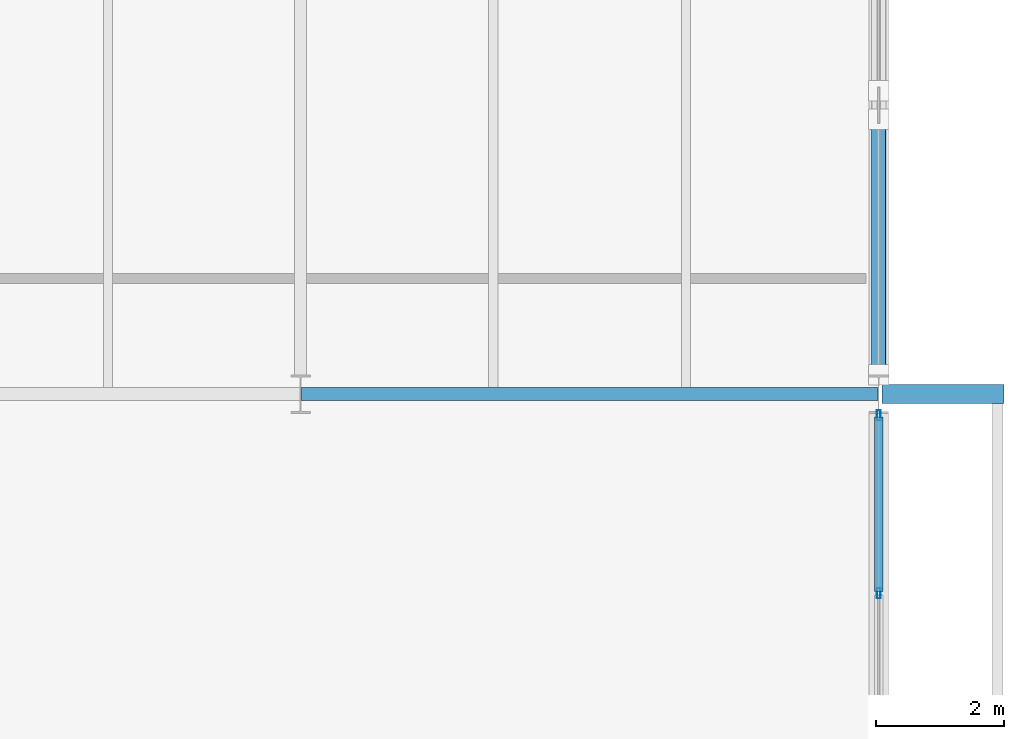
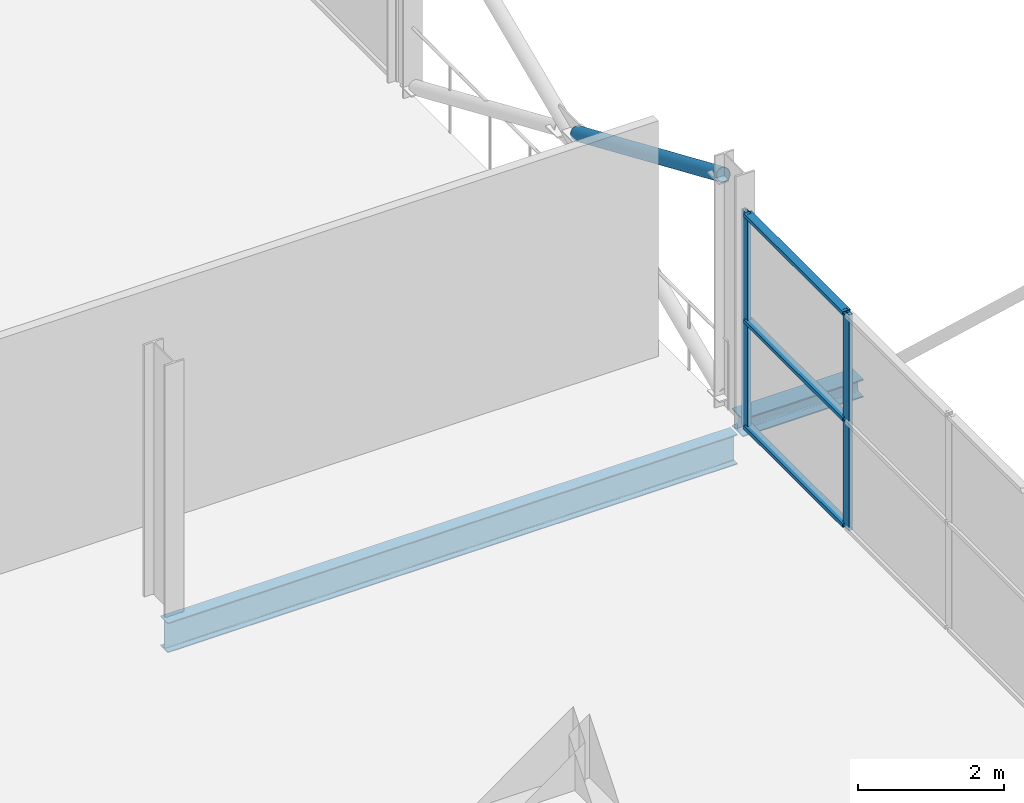
# One storey, part 63 of 103: 6 members, 2 beams, 1 element without a shape of its own.
"""IFC4 building model written with IfcOpenShell, lengths in metres."""

from ifc_helpers import new_model, si_unit, direction, frame, origin, origin_2d, place, context, subcontext, project, spatial, hollow_rectangle, hollow_circle, i_section, extrude, material, layer, layer_set, material_profile, profile_set, type_object, element, aggregate, save


model = new_model("IFC4")

# Units and contexts
model_context = context("Model", 3, precision=1e-05, world=origin(), true_north=direction((0.0, 1.0)))
body_context = subcontext(model_context, "Body", "Model", "MODEL_VIEW")
ifc_project = project(units=[si_unit("LENGTHUNIT", "METRE"), si_unit("AREAUNIT", "SQUARE_METRE"), si_unit("VOLUMEUNIT", "CUBIC_METRE"), si_unit("PLANEANGLEUNIT", "RADIAN"), si_unit("MASSUNIT", "GRAM", prefix="KILO")], contexts=[model_context])

# Site, building, storey
site_placement = place(None, origin())
site = spatial("IfcSite", under=ifc_project, at=site_placement, CompositionType="ELEMENT")
building_placement = place(site_placement, origin())
building = spatial("IfcBuilding", under=site, at=building_placement, Name="Deido Ridge Mobility Hub", CompositionType="ELEMENT")
storey_placement = place(building_placement, frame((0.0, 0.0, 12.60009765625)))
storey = spatial("IfcBuildingStorey", under=building, at=storey_placement, Name="L03", CompositionType="ELEMENT", Elevation=12.60009765625)

# Beam
ifc_material_1 = material(Name="Steel S355J2 EN 10025-2", Category="steel")
ifc_material_profile_1 = material_profile(ifc_material_1, i_section(OverallWidth=0.199951171875, OverallDepth=0.5, WebThickness=0.01025390625, FlangeThickness=0.01611328125, FilletRadius=0.02099609375, at=origin_2d()), Name="IPE 500")
ifc_profile_set_1 = profile_set([ifc_material_profile_1], Name="Steel S355J2 EN 10025-2")
beam_type_1 = type_object("IfcBeamType", Name="BM-IPE500", PredefinedType="BEAM", material=ifc_profile_set_1)
beam_1_placement = place(storey_placement, frame((171.0078125, 54.0, -0.51513671875), z_axis=(1.0, 0.0, 0.0), x_axis=(0.0, 1.0, 0.0)))
element("IfcBeam", 1, at=beam_1_placement, inside=storey, type_object=beam_type_1, Name="Floor beam B3", PredefinedType="BEAM", context=body_context, shape_type="SweptSolid", body=[
    extrude(i_section(OverallWidth=0.199951171875, OverallDepth=0.5, WebThickness=0.01025390625, FlangeThickness=0.01611328125, FilletRadius=0.02099609375, at=origin_2d()), origin(), (0.0, 0.0, 1.0), 8.984375),
])

# Member
ifc_material_2 = material(Name="Steel S355J2H EN 10210-1", Category="steel")
ifc_material_profile_2 = material_profile(ifc_material_2, hollow_circle(Radius=0.109619140625, WallThickness=0.010009765625, at=origin_2d()), Name="CHS 219.1x10")
ifc_profile_set_2 = profile_set([ifc_material_profile_2], Name="Steel S355J2H EN 10210-1")
member_type_1 = type_object("IfcMemberType", Name="MEM-BRC-CHS219", PredefinedType="BRACE", material=ifc_profile_set_2)
member_1_placement = place(storey_placement, frame((180.0, 58.27978515625, 2.09521484375), z_axis=(0.0, -0.917550833654, 0.397618495119), x_axis=(1.0, 0.0, 0.0)))
element("IfcMember", 2, at=member_1_placement, inside=storey, type_object=member_type_1, Name="Split X-brace diagonal segment BR2", PredefinedType="BRACE", context=body_context, shape_type="SweptSolid", body=[
    extrude(hollow_circle(Radius=0.109619140625, WallThickness=0.010009765625, at=origin_2d()), origin(), (0.0, 0.0, 1.0), 4.33740234375),
])

# Curtain wall, members
ifc_material_3 = material(Name="Anodised aluminium EN AW-6063 T6", Category="aluminium")
ifc_layer = layer(ifc_material_3, 0.195068359375, Name="Anodised aluminium EN AW-6063 T6")
ifc_layer_set = layer_set([ifc_layer], Name="Anodised aluminium EN AW-6063 T6")
curtain_wall_type = type_object("IfcCurtainWallType", Name="CW-UF-3", PredefinedType="USERDEFINED", material=ifc_layer_set)
curtain_wall_placement = place(storey_placement, origin())
curtain_wall = element("IfcCurtainWall", 3, at=curtain_wall_placement, inside=storey, type_object=curtain_wall_type, Name="Unitised curtain wall CW3", ObjectType="UNITISED FACADE", PredefinedType="USERDEFINED")
ifc_material_profile_3 = material_profile(ifc_material_3, hollow_rectangle(XDim=0.06005859375, YDim=0.159912109375, WallThickness=0.00390625, at=origin_2d()), Name="RHS 60x160x4")
ifc_profile_set_3 = profile_set([ifc_material_profile_3], Name="Anodised aluminium EN AW-6063 T6")
member_type_2 = type_object("IfcMemberType", Name="MEM-MUL-60X160", PredefinedType="MULLION", material=ifc_profile_set_3)
member_2_placement = place(storey_placement, frame((180.0, 50.89990234375, 0.0), z_axis=(0.0, 0.0, 1.0), x_axis=(-1.0, 0.0, 0.0)))
member_2 = element("IfcMember", 4, at=member_2_placement, type_object=member_type_2, Name="CW3 mullion 3", PredefinedType="MULLION", context=body_context, shape_type="SweptSolid", body=[
    extrude(hollow_rectangle(XDim=0.06005859375, YDim=0.159912109375, WallThickness=0.00390625, at=origin_2d()), origin(), (0.0, 0.0, 1.0), 3.599853515625),
])
member_3_placement = place(storey_placement, frame((180.0, 53.669921875, 0.0), z_axis=(0.0, 0.0, 1.0), x_axis=(-1.0, 0.0, 0.0)))
member_3 = element("IfcMember", 5, at=member_3_placement, type_object=member_type_2, Name="CW3 mullion 4", PredefinedType="MULLION", context=body_context, shape_type="SweptSolid", body=[
    extrude(hollow_rectangle(XDim=0.06005859375, YDim=0.159912109375, WallThickness=0.00390625, at=origin_2d()), origin(), (0.0, 0.0, 1.0), 3.599853515625),
])
ifc_material_profile_4 = material_profile(ifc_material_3, hollow_rectangle(XDim=0.125, YDim=0.06005859375, WallThickness=0.00390625, at=origin_2d()), Name="RHS 125x60x4")
ifc_profile_set_4 = profile_set([ifc_material_profile_4], Name="Anodised aluminium EN AW-6063 T6")
member_type_3 = type_object("IfcMemberType", Name="MEM-TRN-125X60", PredefinedType="USERDEFINED", material=ifc_profile_set_4)
member_4_placement = place(storey_placement, frame((180.0, 50.929931640625, 0.02978515625), z_axis=(0.0, 1.0, 0.0), x_axis=(-1.0, 0.0, 0.0)))
member_4 = element("IfcMember", 6, at=member_4_placement, type_object=member_type_3, Name="CW3 transom 3.1", ObjectType="TRANSOM", PredefinedType="USERDEFINED", context=body_context, shape_type="SweptSolid", body=[
    extrude(hollow_rectangle(XDim=0.125, YDim=0.06005859375, WallThickness=0.00390625, at=origin_2d()), origin(), (0.0, 0.0, 1.0), 2.7099609375),
])
member_5_placement = place(storey_placement, frame((180.0, 50.929931640625, 1.7998046875), z_axis=(0.0, 1.0, 0.0), x_axis=(-1.0, 0.0, 0.0)))
member_5 = element("IfcMember", 7, at=member_5_placement, type_object=member_type_3, Name="CW3 transom 3.2", ObjectType="TRANSOM", PredefinedType="USERDEFINED", context=body_context, shape_type="SweptSolid", body=[
    extrude(hollow_rectangle(XDim=0.125, YDim=0.06005859375, WallThickness=0.00390625, at=origin_2d()), origin(), (0.0, 0.0, 1.0), 2.7099609375),
])
member_6_placement = place(storey_placement, frame((180.0, 50.929931640625, 3.56982421875), z_axis=(0.0, 1.0, 0.0), x_axis=(-1.0, 0.0, 0.0)))
member_6 = element("IfcMember", 8, at=member_6_placement, type_object=member_type_3, Name="CW3 transom 3.3", ObjectType="TRANSOM", PredefinedType="USERDEFINED", context=body_context, shape_type="SweptSolid", body=[
    extrude(hollow_rectangle(XDim=0.125, YDim=0.06005859375, WallThickness=0.00390625, at=origin_2d()), origin(), (0.0, 0.0, 1.0), 2.7099609375),
])
aggregate(curtain_wall, [member_2, member_3, member_4, member_5, member_6])

# Beam
ifc_material_profile_5 = material_profile(ifc_material_1, i_section(OverallWidth=0.300048828125, OverallDepth=0.300048828125, WebThickness=0.010986328125, FlangeThickness=0.01904296875, FilletRadius=0.027099609375, at=origin_2d()), Name="HEB 300")
ifc_profile_set_5 = profile_set([ifc_material_profile_5], Name="Steel S355J2 EN 10025-2")
beam_type_2 = type_object("IfcBeamType", Name="SPD-HEB300", PredefinedType="SPANDREL", material=ifc_profile_set_5)
beam_2_placement = place(storey_placement, frame((180.050048828125, 54.0, -0.150146484375), z_axis=(1.0, 0.0, 0.0), x_axis=(0.0, 1.0, 0.0)))
element("IfcBeam", 9, at=beam_2_placement, inside=storey, type_object=beam_type_2, Name="Exoskeleton outrigger beam SP1", PredefinedType="SPANDREL", context=body_context, shape_type="SweptSolid", body=[
    extrude(i_section(OverallWidth=0.300048828125, OverallDepth=0.300048828125, WebThickness=0.010986328125, FlangeThickness=0.01904296875, FilletRadius=0.027099609375, at=origin_2d()), origin(), (0.0, 0.0, 1.0), 1.89990234375),
])

save(model, "model.ifc")
